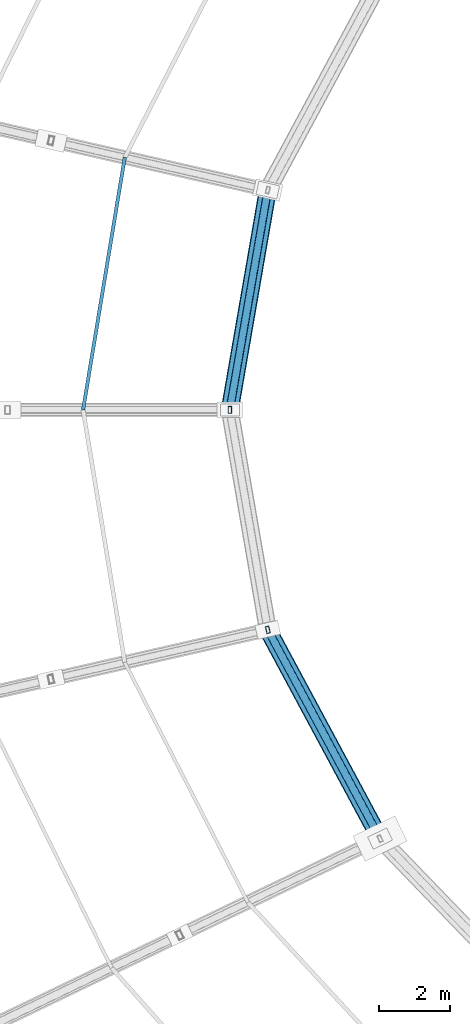
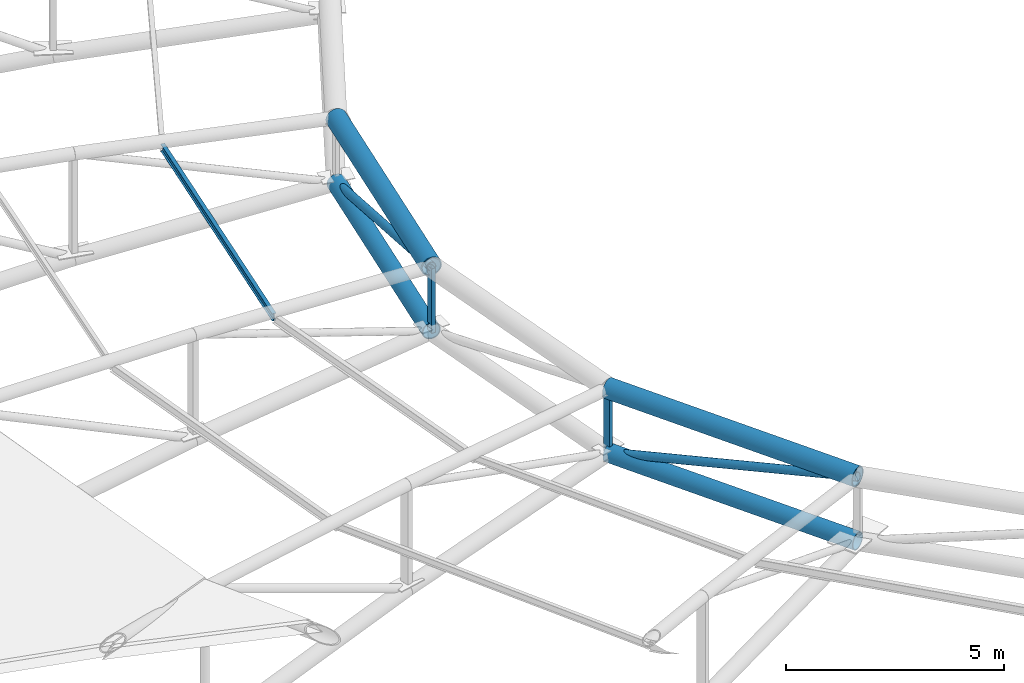
# One storey, part 34 of 108: 9 members.
"""IFC4 building model written with IfcOpenShell, lengths in metres."""

import ifcopenshell
import ifcopenshell.guid

model = None  # the IFC model being written
_history = None  # IfcOwnerHistory: only IFC2X3 demands one
_inside = {}  # id of a spatial element -> (the spatial element, [elements in it])
_under = {}  # id of a project, library or spatial element -> (it, [spatial elements below it])
_declared = {}  # id of a project -> (the project, [libraries it declares])
_typed = {}  # id of a type object -> (the type object, [elements of that type])
_made_of = {}  # id of a material, layer set ... -> (it, [elements and type objects made of it])


def new_model(schema):
    """Start an empty IFC model of exactly this schema.

    Asked for "IFC4X3", IfcOpenShell would pick the latest addendum, in which some entities
    have other attributes; the version numbers below select the first issue.
    IFC2X3 requires an IfcOwnerHistory on every rooted entity: one is made here for all.
    """
    global model, _history
    if schema == "IFC4X3":
        model = ifcopenshell.file(schema_version=(4, 3, 0, 0))
    else:
        model = ifcopenshell.file(schema=schema)
    _inside.clear()
    _under.clear()
    _declared.clear()
    _typed.clear()
    _made_of.clear()
    _history = None
    if model.schema == "IFC2X3":
        org = make("IfcOrganization", Name="unknown")
        user = make(
            "IfcPersonAndOrganization",
            ThePerson=make("IfcPerson", FamilyName="unknown"),
            TheOrganization=org,
        )
        app = make(
            "IfcApplication",
            ApplicationDeveloper=org,
            Version="unknown",
            ApplicationFullName="unknown",
            ApplicationIdentifier="unknown",
        )
        _history = make(
            "IfcOwnerHistory",
            OwningUser=user,
            OwningApplication=app,
            ChangeAction="ADDED",
            CreationDate=0,
        )
    return model


def make(cls, **values):
    """One entity of the class cls with the attributes given. An attribute that is None is left unset."""
    return model.create_entity(
        cls, **{name: value for name, value in values.items() if value is not None}
    )


def rooted(cls, **values):
    """An entity with a GlobalId (a new one), such as an element, a storey or a relation."""
    return make(cls, GlobalId=ifcopenshell.guid.new(), OwnerHistory=_history, **values)


def si_unit(unit_type, name, prefix=None):
    """IfcSIUnit, for example si_unit("LENGTHUNIT", "METRE", prefix="MILLI")."""
    return make("IfcSIUnit", UnitType=unit_type, Prefix=prefix, Name=name)


def assignment(units):
    """IfcUnitAssignment: the units of a project."""
    return None if units is None else make("IfcUnitAssignment", Units=units)


def point(xyz):
    """IfcCartesianPoint."""
    return None if xyz is None else make("IfcCartesianPoint", Coordinates=xyz)


def direction(xyz):
    """IfcDirection."""
    return None if xyz is None else make("IfcDirection", DirectionRatios=xyz)


def frame(location, z_axis=None, x_axis=None):
    """IfcAxis2Placement3D, a coordinate frame: its origin and axes. An axis left out is left unset."""
    return make(
        "IfcAxis2Placement3D",
        Location=point(location),
        Axis=direction(z_axis),
        RefDirection=direction(x_axis),
    )


def frame_2d(location, x_axis=None):
    """IfcAxis2Placement2D, a coordinate frame in the plane: its origin and x axis."""
    return make(
        "IfcAxis2Placement2D", Location=point(location), RefDirection=direction(x_axis)
    )


def origin():
    """The frame at (0, 0, 0) with its axes left unset."""
    return frame((0.0, 0.0, 0.0))


def origin_2d():
    """The frame at (0, 0) in the plane with its x axis left unset."""
    return frame_2d((0.0, 0.0))


def place(relative_to, where):
    """IfcLocalPlacement: puts the frame where relative to a parent placement (None: the world)."""
    return make(
        "IfcLocalPlacement", PlacementRelTo=relative_to, RelativePlacement=where
    )


def context(
    kind, dimensions, precision=None, world=None, true_north=None, identifier=None
):
    """IfcGeometricRepresentationContext, for example the 3D "Model" context."""
    return make(
        "IfcGeometricRepresentationContext",
        ContextIdentifier=identifier,
        ContextType=kind,
        CoordinateSpaceDimension=dimensions,
        Precision=precision,
        WorldCoordinateSystem=world,
        TrueNorth=true_north,
    )


def subcontext(parent, identifier, kind, view, scale=None):
    """IfcGeometricRepresentationSubContext, for example "Body" below "Model"."""
    return make(
        "IfcGeometricRepresentationSubContext",
        ContextIdentifier=identifier,
        ContextType=kind,
        ParentContext=parent,
        TargetScale=scale,
        TargetView=view,
    )


def project(units=None, contexts=None):
    """IfcProject with its units and contexts."""
    return rooted(
        "IfcProject",
        Name="project",
        RepresentationContexts=contexts,
        UnitsInContext=assignment(units),
    )


def spatial(cls, under=None, at=None, **own):
    """A site, building, storey or space (cls), placed at a placement, below another one or the project."""
    s = rooted(cls, ObjectPlacement=at, **own)
    if under is not None:
        _under.setdefault(under.id(), (under, []))[1].append(s)
    return s


def profile(cls, at=None, kind="AREA", **sizes):
    """A parametric profile (cls). Its sizes go by their IFC names, for example OverallWidth=200.0."""
    return make(cls, ProfileType=kind, Position=at, **sizes)


def hollow_rectangle(**sizes):
    """IfcRectangleHollowProfileDef."""
    return profile("IfcRectangleHollowProfileDef", **sizes)


def hollow_circle(**sizes):
    """IfcCircleHollowProfileDef."""
    return profile("IfcCircleHollowProfileDef", **sizes)


def i_section(**sizes):
    """IfcIShapeProfileDef."""
    return profile("IfcIShapeProfileDef", **sizes)


def extrude(swept, where, along, depth):
    """IfcExtrudedAreaSolid: the profile swept, set in the frame where, extruded along a direction by depth."""
    return make(
        "IfcExtrudedAreaSolid",
        SweptArea=swept,
        Position=where,
        ExtrudedDirection=direction(along),
        Depth=depth,
    )


def shape(context_of_items, identifier, shape_type, items):
    """IfcShapeRepresentation: the items that make up one representation, for example the "Body"."""
    return make(
        "IfcShapeRepresentation",
        ContextOfItems=context_of_items,
        RepresentationIdentifier=identifier,
        RepresentationType=shape_type,
        Items=items,
    )


def material(Name=None, Category=None):
    """IfcMaterial."""
    return make("IfcMaterial", Name=Name, Category=Category)


def material_profile(
    of_material, cross_section, Name=None, Category=None, Priority=None
):
    """IfcMaterialProfile: a cross section and its material."""
    return make(
        "IfcMaterialProfile",
        Name=Name,
        Material=of_material,
        Profile=cross_section,
        Priority=Priority,
        Category=Category,
    )


def profile_set(profiles, Name=None, composite=None):
    """IfcMaterialProfileSet."""
    return make(
        "IfcMaterialProfileSet",
        Name=Name,
        MaterialProfiles=profiles,
        CompositeProfile=composite,
    )


def made_of(thing, what):
    """Note that an element or type object is made of a material, layer set ...; save() writes the relation."""
    if what is not None:
        _made_of.setdefault(what.id(), (what, []))[1].append(thing)
    return thing


def type_object(cls, material=None, **own):
    """A type object (cls), such as IfcWallType, which elements share."""
    return made_of(rooted(cls, **own), material)


def element(
    cls,
    number,
    at=None,
    inside=None,
    cuts=None,
    type_object=None,
    material=None,
    context=None,
    identifier="Body",
    shape_type=None,
    held_by="IfcProductDefinitionShape",
    body=None,
    shapes=None,
    **own,
):
    """One element of the class cls, such as IfcWall. Its Tag is "e" and its number.

    at: its placement. inside: the storey or other place that contains it. cuts: it is an
    opening in that element (IfcRelVoidsElement). A single representation is given by context,
    identifier, shape_type and body (its items); several are given by shapes. held_by: the class
    of the entity that holds the representations. save() writes the other relations.
    """
    e = rooted(cls, Tag="e%d" % number, ObjectPlacement=at, **own)
    if body is not None:
        shapes = [shape(context, identifier, shape_type, body)]
    if shapes is not None:
        e.Representation = make(held_by, Representations=shapes)
    if inside is not None:
        _inside.setdefault(inside.id(), (inside, []))[1].append(e)
    if cuts is not None:
        rooted(
            "IfcRelVoidsElement", RelatingBuildingElement=cuts, RelatedOpeningElement=e
        )
    if type_object is not None:
        _typed.setdefault(type_object.id(), (type_object, []))[1].append(e)
    return made_of(e, material)


def aggregate(whole, parts):
    """IfcRelAggregates: a whole, such as a stair, and the parts it consists of."""
    return rooted("IfcRelAggregates", RelatingObject=whole, RelatedObjects=parts)


def save(model, path):
    """Write the relations noted so far, then the file.

    IfcRelAggregates (storeys below a building ...), IfcRelContainedInSpatialStructure (elements
    in a storey), IfcRelDefinesByType, IfcRelAssociatesMaterial and IfcRelDeclares: one each for
    every whole, place, type object, material and project.
    """
    for whole, parts in _under.values():
        aggregate(whole, parts)
    for where, things in _inside.values():
        rooted(
            "IfcRelContainedInSpatialStructure",
            RelatedElements=things,
            RelatingStructure=where,
        )
    for kind, things in _typed.values():
        rooted("IfcRelDefinesByType", RelatedObjects=things, RelatingType=kind)
    for what, things in _made_of.values():
        rooted("IfcRelAssociatesMaterial", RelatedObjects=things, RelatingMaterial=what)
    for by, libraries in _declared.values():
        rooted("IfcRelDeclares", RelatingContext=by, RelatedDefinitions=libraries)
    model.write(path)


model = new_model("IFC4")

# Units and contexts
model_context = context("Model", 3, precision=1e-05, world=origin(), true_north=direction((0.0, 1.0)))
body_context = subcontext(model_context, "Body", "Model", "MODEL_VIEW")
ifc_project = project(units=[si_unit("LENGTHUNIT", "METRE"), si_unit("AREAUNIT", "SQUARE_METRE"), si_unit("VOLUMEUNIT", "CUBIC_METRE"), si_unit("PLANEANGLEUNIT", "RADIAN"), si_unit("MASSUNIT", "GRAM", prefix="KILO")], contexts=[model_context])

# Site, building, storey
site_placement = place(None, origin())
site = spatial("IfcSite", under=ifc_project, at=site_placement, CompositionType="ELEMENT")
building_placement = place(site_placement, origin())
building = spatial("IfcBuilding", under=site, at=building_placement, Name="Zevraka Park Crest Stadium", CompositionType="ELEMENT")
storey_placement = place(building_placement, frame((0.0, 0.0, 29.39990234375)))
storey = spatial("IfcBuildingStorey", under=building, at=storey_placement, Name="RF", CompositionType="ELEMENT", Elevation=29.39990234375)

# Members
ifc_material_1 = material(Name="Steel S355", Category="steel")
ifc_material_profile_1 = material_profile(ifc_material_1, i_section(OverallWidth=0.10009765625, OverallDepth=0.199951171875, WebThickness=0.005615234375, FlangeThickness=0.008544921875, at=origin_2d()), Name="IPE 200")
ifc_profile_set_1 = profile_set([ifc_material_profile_1], Name="Steel S355")
member_type_1 = type_object("IfcMemberType", Name="PR03", PredefinedType="PURLIN", material=ifc_profile_set_1)
member_1_placement = place(storey_placement, frame((66.02392578125, 99.156005859375, 9.037109375), z_axis=(-0.162952302603, -0.986633947863, 0.0), x_axis=(0.986633947863, -0.162952302603, 0.0)))
element("IfcMember", 1, at=member_1_placement, inside=storey, type_object=member_type_1, Name="Canopy Roof Purlin PR03 INNER-14-2", PredefinedType="PURLIN", context=body_context, shape_type="SweptSolid", body=[
    extrude(i_section(OverallWidth=0.10009765625, OverallDepth=0.199951171875, WebThickness=0.005615234375, FlangeThickness=0.008544921875, at=origin_2d()), origin(), (0.0, 0.0, 1.0), 7.2529296875),
])
ifc_material_2 = material(Name="Steel S355", Category="steel")
ifc_material_profile_2 = material_profile(ifc_material_2, hollow_circle(Radius=0.25390625, WallThickness=0.030029296875, at=origin_2d()), Name="CHS 508.0x30")
ifc_profile_set_2 = profile_set([ifc_material_profile_2], Name="Steel S355")
member_type_2 = type_object("IfcMemberType", Name="TC01", PredefinedType="CHORD", material=ifc_profile_set_2)
member_2_placement = place(storey_placement, frame((70.077880859375, 98.23095703125, 9.0), z_axis=(-0.170456369682, -0.985365224693, 0.0), x_axis=(0.985365224693, -0.170456369682, 0.0)))
element("IfcMember", 2, at=member_2_placement, inside=storey, type_object=member_type_2, Name="Roof Inner Oculus Compression-Tension Ring TC01 14", PredefinedType="CHORD", context=body_context, shape_type="SweptSolid", body=[
    extrude(hollow_circle(Radius=0.25390625, WallThickness=0.030029296875, at=origin_2d()), origin(), (0.0, 0.0, 1.0), 6.323486328125),
])
member_3_placement = place(storey_placement, frame((70.077880859375, 85.76904296875, 9.0), z_axis=(0.473358528997, -0.880869855896, 0.0), x_axis=(0.880869855896, 0.473358528997, 0.0)))
element("IfcMember", 3, at=member_3_placement, inside=storey, type_object=member_type_2, Name="Roof Inner Oculus Compression-Tension Ring TC01 16", PredefinedType="CHORD", context=body_context, shape_type="SweptSolid", body=[
    extrude(hollow_circle(Radius=0.25390625, WallThickness=0.030029296875, at=origin_2d()), origin(), (0.0, 0.0, 1.0), 6.71826171875),
])
ifc_material_3 = material(Name="Steel S355", Category="steel")
ifc_material_profile_3 = material_profile(ifc_material_3, hollow_circle(Radius=0.228515625, WallThickness=0.02490234375, at=origin_2d()), Name="CHS 457.0x25")
ifc_profile_set_3 = profile_set([ifc_material_profile_3], Name="Steel S355")
member_type_3 = type_object("IfcMemberType", Name="TC02", PredefinedType="CHORD", material=ifc_profile_set_3)
member_4_placement = place(storey_placement, frame((70.077880859375, 98.23095703125, 7.2001953125), z_axis=(-0.170456369682, -0.985365224693, 0.0), x_axis=(0.985365224693, -0.170456369682, 0.0)))
element("IfcMember", 4, at=member_4_placement, inside=storey, type_object=member_type_3, Name="Roof Inner Oculus Bottom Ring TC02 14", PredefinedType="CHORD", context=body_context, shape_type="SweptSolid", body=[
    extrude(hollow_circle(Radius=0.228515625, WallThickness=0.02490234375, at=origin_2d()), origin(), (0.0, 0.0, 1.0), 6.323486328125),
])
member_5_placement = place(storey_placement, frame((70.077880859375, 85.76904296875, 7.2001953125), z_axis=(0.473358528997, -0.880869855896, 0.0), x_axis=(0.880869855896, 0.473358528997, 0.0)))
element("IfcMember", 5, at=member_5_placement, inside=storey, type_object=member_type_3, Name="Roof Inner Oculus Bottom Ring TC02 16", PredefinedType="CHORD", context=body_context, shape_type="SweptSolid", body=[
    extrude(hollow_circle(Radius=0.228515625, WallThickness=0.02490234375, at=origin_2d()), origin(), (0.0, 0.0, 1.0), 6.71826171875),
])
ifc_material_4 = material(Name="Steel S355", Category="steel")
ifc_material_profile_4 = material_profile(ifc_material_4, hollow_circle(Radius=0.109619140625, WallThickness=0.010009765625, at=origin_2d()), Name="CHS 219.1x10")
ifc_profile_set_4 = profile_set([ifc_material_profile_4], Name="Steel S355")
member_type_4 = type_object("IfcMemberType", Name="WB02", PredefinedType="BRACE", material=ifc_profile_set_4)
member_6_placement = place(storey_placement, frame((70.077880859375, 98.23095703125, 7.2001953125), z_axis=(-0.163945117991, -0.947725323073, 0.2737493567), x_axis=(0.985365224693, -0.170456369682, 0.0)))
element("IfcMember", 6, at=member_6_placement, inside=storey, type_object=member_type_4, Name="Roof Oculus Ring Brace WB02 14", PredefinedType="BRACE", context=body_context, shape_type="SweptSolid", body=[
    extrude(hollow_circle(Radius=0.109619140625, WallThickness=0.010009765625, at=origin_2d()), origin(), (0.0, 0.0, 1.0), 6.57470703125),
])
member_7_placement = place(storey_placement, frame((70.077880859375, 85.76904296875, 7.2001953125), z_axis=(0.457235432821, -0.850866489451, 0.258770122122), x_axis=(0.880869855896, 0.473358528997, 0.0)))
element("IfcMember", 7, at=member_7_placement, inside=storey, type_object=member_type_4, Name="Roof Oculus Ring Brace WB02 16", PredefinedType="BRACE", context=body_context, shape_type="SweptSolid", body=[
    extrude(hollow_circle(Radius=0.109619140625, WallThickness=0.010009765625, at=origin_2d()), origin(), (0.0, 0.0, 1.0), 6.955322265625),
])
ifc_material_5 = material(Name="Steel S355", Category="steel")
ifc_material_profile_5 = material_profile(ifc_material_5, hollow_rectangle(XDim=0.10009765625, YDim=0.199951171875, WallThickness=0.008056640625, at=origin_2d()), Name="RHS 200x100x8")
ifc_profile_set_5 = profile_set([ifc_material_profile_5], Name="Steel S355")
member_type_5 = type_object("IfcMemberType", Name="WB05", PredefinedType="BRACE", material=ifc_profile_set_5)
for number, where, z_axis, x_axis, name in (
    (8, (69.0, 92.0, 7.2001953125), (0.0, 0.0, 1.0), (1.0, 0.0, 0.0), "Roof Truss Web Post WB05 T15-7"),
    (9, (70.077880859375, 85.76904296875, 7.2001953125), (0.0, 0.0, 1.0), (0.974916814618, 0.222569549971, 0.0), "Roof Truss Web Post WB05 T16-7"),
):
    element("IfcMember", number, at=place(storey_placement, frame(where, z_axis=z_axis, x_axis=x_axis)), inside=storey, type_object=member_type_5, Name=name, PredefinedType="BRACE", context=body_context, shape_type="SweptSolid", body=[
        extrude(hollow_rectangle(XDim=0.10009765625, YDim=0.199951171875, WallThickness=0.008056640625, at=origin_2d()), origin(), (0.0, 0.0, 1.0), 1.7998046875),
    ])

save(model, "model.ifc")
